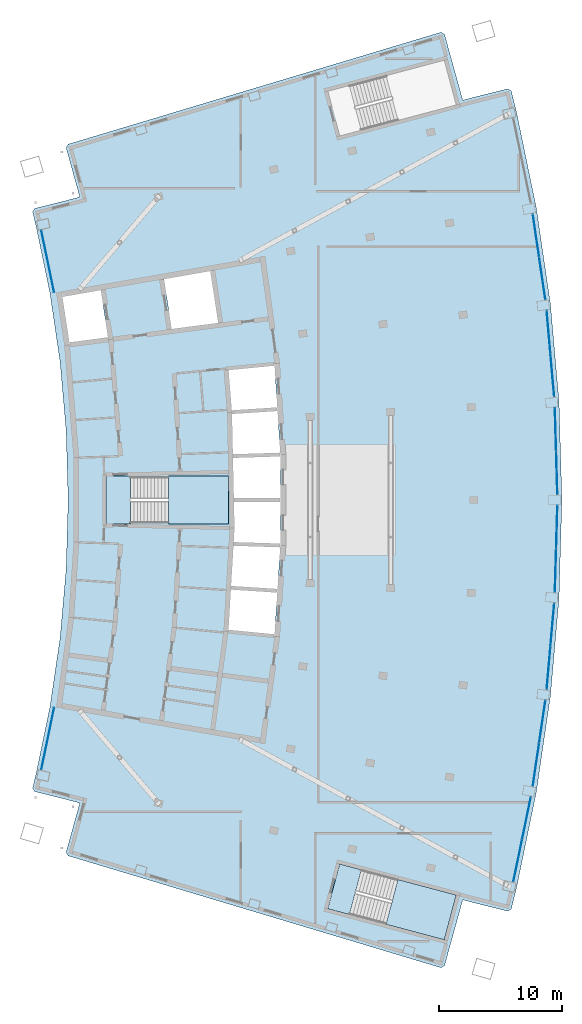
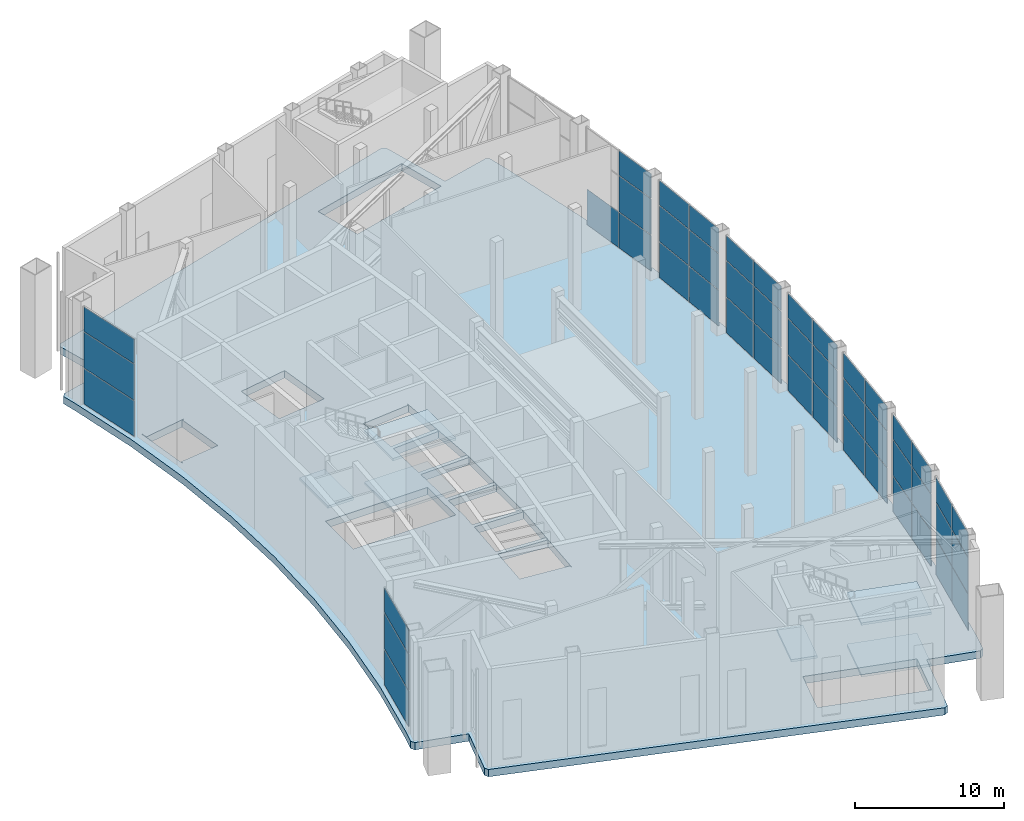
# One storey, part 16 of 25: 46 plates, 7 slabs, 11 elements without a shape of their own.
"""IFC4 building model written with IfcOpenShell, lengths in metres."""

from ifc_helpers import new_model, si_unit, direction, frame, origin, origin_2d, place, context, subcontext, project, spatial, polyline, rectangle, outline, extrude, material, layer, layer_set, type_object, element, aggregate, save


model = new_model("IFC4")

# Units and contexts
model_context = context("Model", 3, precision=1e-05, world=origin(), true_north=direction((0.0, 1.0)))
body_context = subcontext(model_context, "Body", "Model", "MODEL_VIEW")
ifc_project = project(units=[si_unit("LENGTHUNIT", "METRE"), si_unit("AREAUNIT", "SQUARE_METRE"), si_unit("VOLUMEUNIT", "CUBIC_METRE"), si_unit("PLANEANGLEUNIT", "RADIAN"), si_unit("MASSUNIT", "GRAM", prefix="KILO")], contexts=[model_context])

# Site, building, storey
site_placement = place(None, origin())
site = spatial("IfcSite", under=ifc_project, at=site_placement, CompositionType="ELEMENT")
building_placement = place(site_placement, origin())
building = spatial("IfcBuilding", under=site, at=building_placement, Name="Alderwake Tower", CompositionType="ELEMENT")
storey_placement = place(building_placement, frame((0.0, 0.0, 296.0)))
storey = spatial("IfcBuildingStorey", under=building, at=storey_placement, Name="L73", CompositionType="ELEMENT", Elevation=296.0)

# Slab
ifc_material_1 = material(Name="Concrete C50/60", Category="concrete")
ifc_layer_1 = layer(ifc_material_1, 0.60009765625)
ifc_layer_set_1 = layer_set([ifc_layer_1], Name="Concrete C50/60 post-tensioned flat plate 600")
slab_type_1 = type_object("IfcSlabType", Name="Concrete C50/60 post-tensioned flat plate 600", PredefinedType="FLOOR", material=ifc_layer_set_1)
slab_1_placement = place(storey_placement, frame((0.0, 0.0, -0.60009765625)))
element("IfcSlab", 1, at=slab_1_placement, inside=storey, type_object=slab_type_1, Name="Floor slab L73", PredefinedType="FLOOR", context=body_context, shape_type="SweptSolid", body=[
    extrude(outline(polyline([(16.942626953125, 36.46142578125), (13.287841796875, 37.38671875), (13.11962890625, 37.66650390625), (13.3984375, 38.802734375), (14.53369140625, 44.28564453125), (15.347412109375, 49.825439453125), (15.836669921875, 55.4033203125), (16.0, 61.0), (15.836669921875, 66.5966796875), (15.347412109375, 72.174560546875), (14.53369140625, 77.71435546875), (13.3984375, 83.197265625), (13.11962890625, 84.33349609375), (13.287841796875, 84.61328125), (16.942626953125, 85.53857421875), (15.837890625, 89.533203125), (15.996826171875, 89.821044921875), (46.204833984375, 98.890380859375), (46.486328125, 98.73486328125), (47.964111328125, 93.390869140625), (51.618896484375, 94.31591796875), (51.896728515625, 94.14892578125), (52.314453125, 92.4462890625), (53.9228515625, 84.6787109375), (55.075439453125, 76.830810546875), (55.768798828125, 68.9287109375), (56.0, 61.0), (55.768798828125, 53.0712890625), (55.075439453125, 45.169189453125), (53.9228515625, 37.3212890625), (52.314453125, 29.5537109375), (51.896728515625, 27.85107421875), (51.618896484375, 27.68408203125), (47.964111328125, 28.609130859375), (46.486328125, 23.26513671875), (46.204833984375, 23.109619140625), (15.996826171875, 32.178955078125), (15.837890625, 32.466796875), (16.942626953125, 36.46142578125)]), holes=[polyline([(29.181396484375, 53.739990234375), (28.985107421875, 50.4306640625), (28.989013671875, 50.430419921875), (28.994140625, 50.485595703125), (32.6962890625, 50.123291015625), (32.681640625, 49.973876953125), (32.711669921875, 49.970947265625), (32.95068359375, 53.644775390625), (33.18994140625, 57.318603515625), (33.18994140625, 61.0), (33.18994140625, 64.681396484375), (32.95068359375, 68.355224609375), (32.711669921875, 72.029052734375), (32.681640625, 72.026123046875), (32.6962890625, 71.876708984375), (28.993896484375, 71.514404296875), (29.256591796875, 68.264892578125), (32.9111328125, 68.5029296875), (32.9208984375, 68.353271484375), (32.9306640625, 68.20361328125), (29.278564453125, 67.9658203125), (29.274169921875, 68.032470703125), (29.2705078125, 68.0322265625), (29.34423828125, 64.70654296875), (33.1552734375, 64.83056640625), (33.159912109375, 64.680419921875), (33.164794921875, 64.530517578125), (29.350830078125, 64.406494140625), (29.4228515625, 61.14990234375), (33.159912109375, 61.14990234375), (33.159912109375, 61.0), (33.159912109375, 60.85009765625), (29.429443359375, 60.85009765625), (29.4765625, 58.72314453125), (29.409423828125, 57.591552734375), (33.164794921875, 57.469482421875), (33.159912109375, 57.319580078125), (33.1552734375, 57.16943359375), (29.395751953125, 57.291748046875), (29.39599609375, 57.3017578125), (29.392333984375, 57.302001953125), (29.198974609375, 54.039306640625), (32.9306640625, 53.79638671875), (32.9208984375, 53.646728515625), (32.9111328125, 53.4970703125), (29.181396484375, 53.739990234375)]), polyline([(29.0, 62.875), (21.050048828125, 62.875), (21.050048828125, 59.125), (29.0, 59.125), (29.0, 62.875)]), polyline([(15.569091796875, 77.45703125), (15.49462890625, 77.88427734375), (15.4130859375, 77.869873046875), (15.413818359375, 77.8662109375), (15.47021484375, 77.874755859375), (16.13134765625, 73.5732421875), (16.1611328125, 73.5771484375), (16.13525390625, 73.775390625), (19.224609375, 74.1796875), (18.647705078125, 77.98974609375), (18.843994140625, 78.01953125), (18.84228515625, 78.028564453125), (15.569091796875, 77.45703125)]), polyline([(28.152587890625, 75.347412109375), (27.512451171875, 79.542236328125), (23.769287109375, 78.888916015625), (24.384033203125, 74.858642578125), (24.3623046875, 74.85546875), (24.36279296875, 74.8515625), (28.152587890625, 75.347412109375)]), polyline([(46.47119140625, 25.373291015625), (47.436279296875, 28.996826171875), (39.754150390625, 31.043212890625), (38.7890625, 27.41943359375), (46.47119140625, 25.373291015625)]), polyline([(47.436279296875, 93.003173828125), (46.47119140625, 96.626708984375), (38.7890625, 94.58056640625), (39.754150390625, 90.956787109375), (47.436279296875, 93.003173828125)])]), origin(), (0.0, 0.0, 1.0), 0.60009765625),
])

# Stair, slabs
ifc_material_2 = material(Name="Concrete C40/50", Category="concrete")
stair_type = type_object("IfcStairType", Name="Core exit stair", PredefinedType="HALF_TURN_STAIR", material=ifc_material_2)
stair_1_placement = place(storey_placement, origin())
stair_1 = element("IfcStair", 2, at=stair_1_placement, inside=storey, type_object=stair_type, Name="L73 Exit Stair B", PredefinedType="HALF_TURN_STAIR")
ifc_material_3 = material(Name="Concrete C40/50", Category="concrete")
ifc_layer_2 = layer(ifc_material_3, 0.199951171875)
ifc_layer_set_2 = layer_set([ifc_layer_2], Name="Core stair landing 200")
slab_type_2 = type_object("IfcSlabType", Name="Core stair landing 200", PredefinedType="LANDING", material=ifc_layer_set_2)
slab_2_placement = place(storey_placement, frame((0.0, 0.0, 1.925048828125)))
slab_2 = element("IfcSlab", 3, at=slab_2_placement, type_object=slab_type_2, Name="ST-B landing 1", PredefinedType="LANDING", context=body_context, shape_type="SweptSolid", body=[
    extrude(outline(polyline([(24.110107421875, 59.074951171875), (29.0, 59.074951171875), (29.0, 62.925048828125), (24.110107421875, 62.925048828125), (24.110107421875, 59.074951171875)])), origin(), (0.0, 0.0, 1.0), 0.199951171875),
])
slab_3_placement = place(storey_placement, frame((0.0, 0.0, 4.050048828125)))
slab_3 = element("IfcSlab", 4, at=slab_3_placement, type_object=slab_type_2, Name="ST-B landing 2", PredefinedType="LANDING", context=body_context, shape_type="SweptSolid", body=[
    extrude(outline(polyline([(19.0537109375, 59.074951171875), (21.050048828125, 59.074951171875), (21.050048828125, 62.925048828125), (19.0537109375, 62.925048828125), (19.0537109375, 59.074951171875)])), origin(), (0.0, 0.0, 1.0), 0.199951171875),
])
slab_4_placement = place(storey_placement, frame((0.0, 0.0, 6.175048828125)))
slab_4 = element("IfcSlab", 5, at=slab_4_placement, type_object=slab_type_2, Name="ST-B landing 3", PredefinedType="LANDING", context=body_context, shape_type="SweptSolid", body=[
    extrude(outline(polyline([(24.110107421875, 59.074951171875), (29.0, 59.074951171875), (29.0, 62.925048828125), (24.110107421875, 62.925048828125), (24.110107421875, 59.074951171875)])), origin(), (0.0, 0.0, 1.0), 0.199951171875),
])
aggregate(stair_1, [slab_2, slab_3, slab_4])

stair_2_placement = place(storey_placement, origin())
stair_2 = element("IfcStair", 6, at=stair_2_placement, inside=storey, type_object=stair_type, Name="L73 Exit Stair C", PredefinedType="HALF_TURN_STAIR")
slab_5_placement = place(storey_placement, frame((0.0, 0.0, 1.925048828125)))
slab_5 = element("IfcSlab", 7, at=slab_5_placement, type_object=slab_type_2, Name="ST-C landing 1", PredefinedType="LANDING", context=body_context, shape_type="SweptSolid", body=[
    extrude(outline(polyline([(41.745849609375, 26.6318359375), (46.47119140625, 25.373291015625), (47.436279296875, 28.996826171875), (42.711181640625, 30.255615234375), (41.745849609375, 26.6318359375)])), origin(), (0.0, 0.0, 1.0), 0.199951171875),
])
slab_6_placement = place(storey_placement, frame((0.0, 0.0, 4.050048828125)))
slab_6 = element("IfcSlab", 8, at=slab_6_placement, type_object=slab_type_2, Name="ST-C landing 2", PredefinedType="LANDING", context=body_context, shape_type="SweptSolid", body=[
    extrude(outline(polyline([(37.025390625, 27.88916015625), (38.7890625, 27.41943359375), (39.754150390625, 31.043212890625), (37.99072265625, 31.512939453125), (37.025390625, 27.88916015625)])), origin(), (0.0, 0.0, 1.0), 0.199951171875),
])
slab_7_placement = place(storey_placement, frame((0.0, 0.0, 6.175048828125)))
slab_7 = element("IfcSlab", 9, at=slab_7_placement, type_object=slab_type_2, Name="ST-C landing 3", PredefinedType="LANDING", context=body_context, shape_type="SweptSolid", body=[
    extrude(outline(polyline([(41.745849609375, 26.6318359375), (46.47119140625, 25.373291015625), (47.436279296875, 28.996826171875), (42.711181640625, 30.255615234375), (41.745849609375, 26.6318359375)])), origin(), (0.0, 0.0, 1.0), 0.199951171875),
])
aggregate(stair_2, [slab_5, slab_6, slab_7])

# Curtain wall, plates
ifc_material_4 = material(Name="Bronze tinted glass in aluminium frame", Category="aluminium")
ifc_layer_3 = layer(ifc_material_4, 0.199951171875)
ifc_layer_set_3 = layer_set([ifc_layer_3], Name="Curtain wall CW4 damper floor viewing glazing")
curtain_wall_type = type_object("IfcCurtainWallType", Name="Curtain wall CW4 damper floor viewing glazing", PredefinedType="NOTDEFINED", material=ifc_layer_set_3)
curtain_wall_1_placement = place(storey_placement, origin())
curtain_wall_1 = element("IfcCurtainWall", 10, at=curtain_wall_1_placement, inside=storey, type_object=curtain_wall_type, Name="Curtain wall 1", PredefinedType="NOTDEFINED")
ifc_material_5 = material(Name="Bronze tinted glass in aluminium frame", Category="aluminium")
ifc_layer_4 = layer(ifc_material_5, 0.028076171875)
ifc_layer_set_4 = layer_set([ifc_layer_4], Name="Glass panel GPD 28")
plate_type = type_object("IfcPlateType", Name="Glass panel GPD 28", PredefinedType="CURTAIN_PANEL", material=ifc_layer_set_4)
plate_1_placement = place(storey_placement, frame((52.4208984375, 31.792724609375, 0.06005859375), z_axis=(0.0, 0.0, 1.0), x_axis=(0.202760916683, 0.979228273012, 0.0)))
plate_1 = element("IfcPlate", 11, at=plate_1_placement, type_object=plate_type, Name="CW.01 panel 1.1", PredefinedType="CURTAIN_PANEL", context=body_context, shape_type="SweptSolid", body=[
    extrude(rectangle(XDim=3.444091796875, YDim=0.028076171875, at=origin_2d()), origin(), (0.0, 0.0, 1.0), 2.909912109375),
])
plate_2_placement = place(storey_placement, frame((52.4208984375, 31.792724609375, 3.030029296875), z_axis=(0.0, 0.0, 1.0), x_axis=(0.202760916683, 0.979228273012, 0.0)))
plate_2 = element("IfcPlate", 12, at=plate_2_placement, type_object=plate_type, Name="CW.01 panel 1.2", PredefinedType="CURTAIN_PANEL", context=body_context, shape_type="SweptSolid", body=[
    extrude(rectangle(XDim=3.444091796875, YDim=0.028076171875, at=origin_2d()), origin(), (0.0, 0.0, 1.0), 2.93994140625),
])
plate_3_placement = place(storey_placement, frame((52.4208984375, 31.792724609375, 6.02978515625), z_axis=(0.0, 0.0, 1.0), x_axis=(0.202760916683, 0.979228273012, 0.0)))
plate_3 = element("IfcPlate", 13, at=plate_3_placement, type_object=plate_type, Name="CW.01 panel 1.3", PredefinedType="CURTAIN_PANEL", context=body_context, shape_type="SweptSolid", body=[
    extrude(rectangle(XDim=3.444091796875, YDim=0.028076171875, at=origin_2d()), origin(), (0.0, 0.0, 1.0), 2.010009765625),
])
plate_4_placement = place(storey_placement, frame((53.13134765625, 35.22412109375, 0.06005859375), z_axis=(0.0, 0.0, 1.0), x_axis=(0.202760916683, 0.979228273012, 0.0)))
plate_4 = element("IfcPlate", 14, at=plate_4_placement, type_object=plate_type, Name="CW.01 panel 2.1", PredefinedType="CURTAIN_PANEL", context=body_context, shape_type="SweptSolid", body=[
    extrude(rectangle(XDim=3.444091796875, YDim=0.028076171875, at=origin_2d()), origin(), (0.0, 0.0, 1.0), 2.909912109375),
])
plate_5_placement = place(storey_placement, frame((53.13134765625, 35.22412109375, 3.030029296875), z_axis=(0.0, 0.0, 1.0), x_axis=(0.202760916683, 0.979228273012, 0.0)))
plate_5 = element("IfcPlate", 15, at=plate_5_placement, type_object=plate_type, Name="CW.01 panel 2.2", PredefinedType="CURTAIN_PANEL", context=body_context, shape_type="SweptSolid", body=[
    extrude(rectangle(XDim=3.444091796875, YDim=0.028076171875, at=origin_2d()), origin(), (0.0, 0.0, 1.0), 2.93994140625),
])
plate_6_placement = place(storey_placement, frame((53.13134765625, 35.22412109375, 6.02978515625), z_axis=(0.0, 0.0, 1.0), x_axis=(0.202760916683, 0.979228273012, 0.0)))
plate_6 = element("IfcPlate", 16, at=plate_6_placement, type_object=plate_type, Name="CW.01 panel 2.3", PredefinedType="CURTAIN_PANEL", context=body_context, shape_type="SweptSolid", body=[
    extrude(rectangle(XDim=3.444091796875, YDim=0.028076171875, at=origin_2d()), origin(), (0.0, 0.0, 1.0), 2.010009765625),
])
aggregate(curtain_wall_1, [plate_1, plate_2, plate_3, plate_4, plate_5, plate_6])

curtain_wall_2_placement = place(storey_placement, origin())
curtain_wall_2 = element("IfcCurtainWall", 17, at=curtain_wall_2_placement, inside=storey, type_object=curtain_wall_type, Name="Curtain wall 2", PredefinedType="NOTDEFINED")
plate_7_placement = place(storey_placement, frame((53.8984375, 39.562744140625, 0.06005859375), z_axis=(0.0, 0.0, 1.0), x_axis=(0.145310296412, 0.989386131779, 0.0)))
plate_7 = element("IfcPlate", 18, at=plate_7_placement, type_object=plate_type, Name="CW.02 panel 1.1", PredefinedType="CURTAIN_PANEL", context=body_context, shape_type="SweptSolid", body=[
    extrude(rectangle(XDim=3.444091796875, YDim=0.028076171875, at=origin_2d()), origin(), (0.0, 0.0, 1.0), 2.909912109375),
])
plate_8_placement = place(storey_placement, frame((53.8984375, 39.562744140625, 3.030029296875), z_axis=(0.0, 0.0, 1.0), x_axis=(0.145310296412, 0.989386131779, 0.0)))
plate_8 = element("IfcPlate", 19, at=plate_8_placement, type_object=plate_type, Name="CW.02 panel 1.2", PredefinedType="CURTAIN_PANEL", context=body_context, shape_type="SweptSolid", body=[
    extrude(rectangle(XDim=3.444091796875, YDim=0.028076171875, at=origin_2d()), origin(), (0.0, 0.0, 1.0), 2.93994140625),
])
plate_9_placement = place(storey_placement, frame((53.8984375, 39.562744140625, 6.02978515625), z_axis=(0.0, 0.0, 1.0), x_axis=(0.145310296412, 0.989386131779, 0.0)))
plate_9 = element("IfcPlate", 20, at=plate_9_placement, type_object=plate_type, Name="CW.02 panel 1.3", PredefinedType="CURTAIN_PANEL", context=body_context, shape_type="SweptSolid", body=[
    extrude(rectangle(XDim=3.444091796875, YDim=0.028076171875, at=origin_2d()), origin(), (0.0, 0.0, 1.0), 2.010009765625),
])
plate_10_placement = place(storey_placement, frame((54.407470703125, 43.029541015625, 0.06005859375), z_axis=(0.0, 0.0, 1.0), x_axis=(0.145310296412, 0.989386131779, 0.0)))
plate_10 = element("IfcPlate", 21, at=plate_10_placement, type_object=plate_type, Name="CW.02 panel 2.1", PredefinedType="CURTAIN_PANEL", context=body_context, shape_type="SweptSolid", body=[
    extrude(rectangle(XDim=3.444091796875, YDim=0.028076171875, at=origin_2d()), origin(), (0.0, 0.0, 1.0), 2.909912109375),
])
plate_11_placement = place(storey_placement, frame((54.407470703125, 43.029541015625, 3.030029296875), z_axis=(0.0, 0.0, 1.0), x_axis=(0.145310296412, 0.989386131779, 0.0)))
plate_11 = element("IfcPlate", 22, at=plate_11_placement, type_object=plate_type, Name="CW.02 panel 2.2", PredefinedType="CURTAIN_PANEL", context=body_context, shape_type="SweptSolid", body=[
    extrude(rectangle(XDim=3.444091796875, YDim=0.028076171875, at=origin_2d()), origin(), (0.0, 0.0, 1.0), 2.93994140625),
])
plate_12_placement = place(storey_placement, frame((54.407470703125, 43.029541015625, 6.02978515625), z_axis=(0.0, 0.0, 1.0), x_axis=(0.145310296412, 0.989386131779, 0.0)))
plate_12 = element("IfcPlate", 23, at=plate_12_placement, type_object=plate_type, Name="CW.02 panel 2.3", PredefinedType="CURTAIN_PANEL", context=body_context, shape_type="SweptSolid", body=[
    extrude(rectangle(XDim=3.444091796875, YDim=0.028076171875, at=origin_2d()), origin(), (0.0, 0.0, 1.0), 2.010009765625),
])
aggregate(curtain_wall_2, [plate_7, plate_8, plate_9, plate_10, plate_11, plate_12])

curtain_wall_3_placement = place(storey_placement, origin())
curtain_wall_3 = element("IfcCurtainWall", 24, at=curtain_wall_3_placement, inside=storey, type_object=curtain_wall_type, Name="Curtain wall 3", PredefinedType="NOTDEFINED")
plate_13_placement = place(storey_placement, frame((54.92041015625, 47.4052734375, 0.06005859375), z_axis=(0.0, 0.0, 1.0), x_axis=(0.087389659115, 0.996174205388, 0.0)))
plate_13 = element("IfcPlate", 25, at=plate_13_placement, type_object=plate_type, Name="CW.03 panel 1.1", PredefinedType="CURTAIN_PANEL", context=body_context, shape_type="SweptSolid", body=[
    extrude(rectangle(XDim=3.444091796875, YDim=0.028076171875, at=origin_2d()), origin(), (0.0, 0.0, 1.0), 2.909912109375),
])
plate_14_placement = place(storey_placement, frame((54.92041015625, 47.4052734375, 3.030029296875), z_axis=(0.0, 0.0, 1.0), x_axis=(0.087389659115, 0.996174205388, 0.0)))
plate_14 = element("IfcPlate", 26, at=plate_14_placement, type_object=plate_type, Name="CW.03 panel 1.2", PredefinedType="CURTAIN_PANEL", context=body_context, shape_type="SweptSolid", body=[
    extrude(rectangle(XDim=3.444091796875, YDim=0.028076171875, at=origin_2d()), origin(), (0.0, 0.0, 1.0), 2.93994140625),
])
plate_15_placement = place(storey_placement, frame((54.92041015625, 47.4052734375, 6.02978515625), z_axis=(0.0, 0.0, 1.0), x_axis=(0.087389659115, 0.996174205388, 0.0)))
plate_15 = element("IfcPlate", 27, at=plate_15_placement, type_object=plate_type, Name="CW.03 panel 1.3", PredefinedType="CURTAIN_PANEL", context=body_context, shape_type="SweptSolid", body=[
    extrude(rectangle(XDim=3.444091796875, YDim=0.028076171875, at=origin_2d()), origin(), (0.0, 0.0, 1.0), 2.010009765625),
])
plate_16_placement = place(storey_placement, frame((55.2265625, 50.896240234375, 0.06005859375), z_axis=(0.0, 0.0, 1.0), x_axis=(0.087389659115, 0.996174205388, 0.0)))
plate_16 = element("IfcPlate", 28, at=plate_16_placement, type_object=plate_type, Name="CW.03 panel 2.1", PredefinedType="CURTAIN_PANEL", context=body_context, shape_type="SweptSolid", body=[
    extrude(rectangle(XDim=3.444091796875, YDim=0.028076171875, at=origin_2d()), origin(), (0.0, 0.0, 1.0), 2.909912109375),
])
plate_17_placement = place(storey_placement, frame((55.2265625, 50.896240234375, 3.030029296875), z_axis=(0.0, 0.0, 1.0), x_axis=(0.087389659115, 0.996174205388, 0.0)))
plate_17 = element("IfcPlate", 29, at=plate_17_placement, type_object=plate_type, Name="CW.03 panel 2.2", PredefinedType="CURTAIN_PANEL", context=body_context, shape_type="SweptSolid", body=[
    extrude(rectangle(XDim=3.444091796875, YDim=0.028076171875, at=origin_2d()), origin(), (0.0, 0.0, 1.0), 2.93994140625),
])
plate_18_placement = place(storey_placement, frame((55.2265625, 50.896240234375, 6.02978515625), z_axis=(0.0, 0.0, 1.0), x_axis=(0.087389659115, 0.996174205388, 0.0)))
plate_18 = element("IfcPlate", 30, at=plate_18_placement, type_object=plate_type, Name="CW.03 panel 2.3", PredefinedType="CURTAIN_PANEL", context=body_context, shape_type="SweptSolid", body=[
    extrude(rectangle(XDim=3.444091796875, YDim=0.028076171875, at=origin_2d()), origin(), (0.0, 0.0, 1.0), 2.010009765625),
])
aggregate(curtain_wall_3, [plate_13, plate_14, plate_15, plate_16, plate_17, plate_18])

curtain_wall_4_placement = place(storey_placement, origin())
curtain_wall_4 = element("IfcCurtainWall", 31, at=curtain_wall_4_placement, inside=storey, type_object=curtain_wall_type, Name="Curtain wall 4", PredefinedType="NOTDEFINED")
plate_19_placement = place(storey_placement, frame((55.483642578125, 55.29443359375, 0.06005859375), z_axis=(0.0, 0.0, 1.0), x_axis=(0.029157507941, 0.99957482948, 0.0)))
plate_19 = element("IfcPlate", 32, at=plate_19_placement, type_object=plate_type, Name="CW.04 panel 1.1", PredefinedType="CURTAIN_PANEL", context=body_context, shape_type="SweptSolid", body=[
    extrude(rectangle(XDim=3.4443359375, YDim=0.028076171875, at=origin_2d()), origin(), (0.0, 0.0, 1.0), 2.909912109375),
])
plate_20_placement = place(storey_placement, frame((55.483642578125, 55.29443359375, 3.030029296875), z_axis=(0.0, 0.0, 1.0), x_axis=(0.029157507941, 0.99957482948, 0.0)))
plate_20 = element("IfcPlate", 33, at=plate_20_placement, type_object=plate_type, Name="CW.04 panel 1.2", PredefinedType="CURTAIN_PANEL", context=body_context, shape_type="SweptSolid", body=[
    extrude(rectangle(XDim=3.4443359375, YDim=0.028076171875, at=origin_2d()), origin(), (0.0, 0.0, 1.0), 2.93994140625),
])
plate_21_placement = place(storey_placement, frame((55.483642578125, 55.29443359375, 6.02978515625), z_axis=(0.0, 0.0, 1.0), x_axis=(0.029157507941, 0.99957482948, 0.0)))
plate_21 = element("IfcPlate", 34, at=plate_21_placement, type_object=plate_type, Name="CW.04 panel 1.3", PredefinedType="CURTAIN_PANEL", context=body_context, shape_type="SweptSolid", body=[
    extrude(rectangle(XDim=3.4443359375, YDim=0.028076171875, at=origin_2d()), origin(), (0.0, 0.0, 1.0), 2.010009765625),
])
plate_22_placement = place(storey_placement, frame((55.585693359375, 58.797119140625, 0.06005859375), z_axis=(0.0, 0.0, 1.0), x_axis=(0.029157507941, 0.99957482948, 0.0)))
plate_22 = element("IfcPlate", 35, at=plate_22_placement, type_object=plate_type, Name="CW.04 panel 2.1", PredefinedType="CURTAIN_PANEL", context=body_context, shape_type="SweptSolid", body=[
    extrude(rectangle(XDim=3.4443359375, YDim=0.028076171875, at=origin_2d()), origin(), (0.0, 0.0, 1.0), 2.909912109375),
])
plate_23_placement = place(storey_placement, frame((55.585693359375, 58.797119140625, 3.030029296875), z_axis=(0.0, 0.0, 1.0), x_axis=(0.029157507941, 0.99957482948, 0.0)))
plate_23 = element("IfcPlate", 36, at=plate_23_placement, type_object=plate_type, Name="CW.04 panel 2.2", PredefinedType="CURTAIN_PANEL", context=body_context, shape_type="SweptSolid", body=[
    extrude(rectangle(XDim=3.4443359375, YDim=0.028076171875, at=origin_2d()), origin(), (0.0, 0.0, 1.0), 2.93994140625),
])
plate_24_placement = place(storey_placement, frame((55.585693359375, 58.797119140625, 6.02978515625), z_axis=(0.0, 0.0, 1.0), x_axis=(0.029157507941, 0.99957482948, 0.0)))
plate_24 = element("IfcPlate", 37, at=plate_24_placement, type_object=plate_type, Name="CW.04 panel 2.3", PredefinedType="CURTAIN_PANEL", context=body_context, shape_type="SweptSolid", body=[
    extrude(rectangle(XDim=3.4443359375, YDim=0.028076171875, at=origin_2d()), origin(), (0.0, 0.0, 1.0), 2.010009765625),
])
aggregate(curtain_wall_4, [plate_19, plate_20, plate_21, plate_22, plate_23, plate_24])

curtain_wall_5_placement = place(storey_placement, origin())
curtain_wall_5 = element("IfcCurtainWall", 38, at=curtain_wall_5_placement, inside=storey, type_object=curtain_wall_type, Name="Curtain wall 5", PredefinedType="NOTDEFINED")
plate_25_placement = place(storey_placement, frame((55.585693359375, 63.202880859375, 0.06005859375), z_axis=(0.0, 0.0, 1.0), x_axis=(-0.029157507941, 0.99957482948, 0.0)))
plate_25 = element("IfcPlate", 39, at=plate_25_placement, type_object=plate_type, Name="CW.05 panel 1.1", PredefinedType="CURTAIN_PANEL", context=body_context, shape_type="SweptSolid", body=[
    extrude(rectangle(XDim=3.4443359375, YDim=0.028076171875, at=origin_2d()), origin(), (0.0, 0.0, 1.0), 2.909912109375),
])
plate_26_placement = place(storey_placement, frame((55.585693359375, 63.202880859375, 3.030029296875), z_axis=(0.0, 0.0, 1.0), x_axis=(-0.029157507941, 0.99957482948, 0.0)))
plate_26 = element("IfcPlate", 40, at=plate_26_placement, type_object=plate_type, Name="CW.05 panel 1.2", PredefinedType="CURTAIN_PANEL", context=body_context, shape_type="SweptSolid", body=[
    extrude(rectangle(XDim=3.4443359375, YDim=0.028076171875, at=origin_2d()), origin(), (0.0, 0.0, 1.0), 2.93994140625),
])
plate_27_placement = place(storey_placement, frame((55.585693359375, 63.202880859375, 6.02978515625), z_axis=(0.0, 0.0, 1.0), x_axis=(-0.029157507941, 0.99957482948, 0.0)))
plate_27 = element("IfcPlate", 41, at=plate_27_placement, type_object=plate_type, Name="CW.05 panel 1.3", PredefinedType="CURTAIN_PANEL", context=body_context, shape_type="SweptSolid", body=[
    extrude(rectangle(XDim=3.4443359375, YDim=0.028076171875, at=origin_2d()), origin(), (0.0, 0.0, 1.0), 2.010009765625),
])
plate_28_placement = place(storey_placement, frame((55.483642578125, 66.70556640625, 0.06005859375), z_axis=(0.0, 0.0, 1.0), x_axis=(-0.029157507941, 0.99957482948, 0.0)))
plate_28 = element("IfcPlate", 42, at=plate_28_placement, type_object=plate_type, Name="CW.05 panel 2.1", PredefinedType="CURTAIN_PANEL", context=body_context, shape_type="SweptSolid", body=[
    extrude(rectangle(XDim=3.4443359375, YDim=0.028076171875, at=origin_2d()), origin(), (0.0, 0.0, 1.0), 2.909912109375),
])
plate_29_placement = place(storey_placement, frame((55.483642578125, 66.70556640625, 3.030029296875), z_axis=(0.0, 0.0, 1.0), x_axis=(-0.029157507941, 0.99957482948, 0.0)))
plate_29 = element("IfcPlate", 43, at=plate_29_placement, type_object=plate_type, Name="CW.05 panel 2.2", PredefinedType="CURTAIN_PANEL", context=body_context, shape_type="SweptSolid", body=[
    extrude(rectangle(XDim=3.4443359375, YDim=0.028076171875, at=origin_2d()), origin(), (0.0, 0.0, 1.0), 2.93994140625),
])
plate_30_placement = place(storey_placement, frame((55.483642578125, 66.70556640625, 6.02978515625), z_axis=(0.0, 0.0, 1.0), x_axis=(-0.029157507941, 0.99957482948, 0.0)))
plate_30 = element("IfcPlate", 44, at=plate_30_placement, type_object=plate_type, Name="CW.05 panel 2.3", PredefinedType="CURTAIN_PANEL", context=body_context, shape_type="SweptSolid", body=[
    extrude(rectangle(XDim=3.4443359375, YDim=0.028076171875, at=origin_2d()), origin(), (0.0, 0.0, 1.0), 2.010009765625),
])
aggregate(curtain_wall_5, [plate_25, plate_26, plate_27, plate_28, plate_29, plate_30])

curtain_wall_6_placement = place(storey_placement, origin())
curtain_wall_6 = element("IfcCurtainWall", 45, at=curtain_wall_6_placement, inside=storey, type_object=curtain_wall_type, Name="Curtain wall 6", PredefinedType="NOTDEFINED")
plate_31_placement = place(storey_placement, frame((55.2265625, 71.103759765625, 0.06005859375), z_axis=(0.0, 0.0, 1.0), x_axis=(-0.087389659115, 0.996174205388, 0.0)))
plate_31 = element("IfcPlate", 46, at=plate_31_placement, type_object=plate_type, Name="CW.06 panel 1.1", PredefinedType="CURTAIN_PANEL", context=body_context, shape_type="SweptSolid", body=[
    extrude(rectangle(XDim=3.444091796875, YDim=0.028076171875, at=origin_2d()), origin(), (0.0, 0.0, 1.0), 2.909912109375),
])
plate_32_placement = place(storey_placement, frame((55.2265625, 71.103759765625, 3.030029296875), z_axis=(0.0, 0.0, 1.0), x_axis=(-0.087389659115, 0.996174205388, 0.0)))
plate_32 = element("IfcPlate", 47, at=plate_32_placement, type_object=plate_type, Name="CW.06 panel 1.2", PredefinedType="CURTAIN_PANEL", context=body_context, shape_type="SweptSolid", body=[
    extrude(rectangle(XDim=3.444091796875, YDim=0.028076171875, at=origin_2d()), origin(), (0.0, 0.0, 1.0), 2.93994140625),
])
plate_33_placement = place(storey_placement, frame((55.2265625, 71.103759765625, 6.02978515625), z_axis=(0.0, 0.0, 1.0), x_axis=(-0.087389659115, 0.996174205388, 0.0)))
plate_33 = element("IfcPlate", 48, at=plate_33_placement, type_object=plate_type, Name="CW.06 panel 1.3", PredefinedType="CURTAIN_PANEL", context=body_context, shape_type="SweptSolid", body=[
    extrude(rectangle(XDim=3.444091796875, YDim=0.028076171875, at=origin_2d()), origin(), (0.0, 0.0, 1.0), 2.010009765625),
])
plate_34_placement = place(storey_placement, frame((54.92041015625, 74.5947265625, 0.06005859375), z_axis=(0.0, 0.0, 1.0), x_axis=(-0.087389659115, 0.996174205388, 0.0)))
plate_34 = element("IfcPlate", 49, at=plate_34_placement, type_object=plate_type, Name="CW.06 panel 2.1", PredefinedType="CURTAIN_PANEL", context=body_context, shape_type="SweptSolid", body=[
    extrude(rectangle(XDim=3.444091796875, YDim=0.028076171875, at=origin_2d()), origin(), (0.0, 0.0, 1.0), 2.909912109375),
])
plate_35_placement = place(storey_placement, frame((54.92041015625, 74.5947265625, 3.030029296875), z_axis=(0.0, 0.0, 1.0), x_axis=(-0.087389659115, 0.996174205388, 0.0)))
plate_35 = element("IfcPlate", 50, at=plate_35_placement, type_object=plate_type, Name="CW.06 panel 2.2", PredefinedType="CURTAIN_PANEL", context=body_context, shape_type="SweptSolid", body=[
    extrude(rectangle(XDim=3.444091796875, YDim=0.028076171875, at=origin_2d()), origin(), (0.0, 0.0, 1.0), 2.93994140625),
])
plate_36_placement = place(storey_placement, frame((54.92041015625, 74.5947265625, 6.02978515625), z_axis=(0.0, 0.0, 1.0), x_axis=(-0.087389659115, 0.996174205388, 0.0)))
plate_36 = element("IfcPlate", 51, at=plate_36_placement, type_object=plate_type, Name="CW.06 panel 2.3", PredefinedType="CURTAIN_PANEL", context=body_context, shape_type="SweptSolid", body=[
    extrude(rectangle(XDim=3.444091796875, YDim=0.028076171875, at=origin_2d()), origin(), (0.0, 0.0, 1.0), 2.010009765625),
])
aggregate(curtain_wall_6, [plate_31, plate_32, plate_33, plate_34, plate_35, plate_36])

curtain_wall_7_placement = place(storey_placement, origin())
curtain_wall_7 = element("IfcCurtainWall", 52, at=curtain_wall_7_placement, inside=storey, type_object=curtain_wall_type, Name="Curtain wall 7", PredefinedType="NOTDEFINED")
plate_37_placement = place(storey_placement, frame((54.407470703125, 78.970458984375, 0.06005859375), z_axis=(0.0, 0.0, 1.0), x_axis=(-0.145310296412, 0.989386131779, 0.0)))
plate_37 = element("IfcPlate", 53, at=plate_37_placement, type_object=plate_type, Name="CW.07 panel 1.1", PredefinedType="CURTAIN_PANEL", context=body_context, shape_type="SweptSolid", body=[
    extrude(rectangle(XDim=3.444091796875, YDim=0.028076171875, at=origin_2d()), origin(), (0.0, 0.0, 1.0), 2.909912109375),
])
plate_38_placement = place(storey_placement, frame((54.407470703125, 78.970458984375, 3.030029296875), z_axis=(0.0, 0.0, 1.0), x_axis=(-0.145310296412, 0.989386131779, 0.0)))
plate_38 = element("IfcPlate", 54, at=plate_38_placement, type_object=plate_type, Name="CW.07 panel 1.2", PredefinedType="CURTAIN_PANEL", context=body_context, shape_type="SweptSolid", body=[
    extrude(rectangle(XDim=3.444091796875, YDim=0.028076171875, at=origin_2d()), origin(), (0.0, 0.0, 1.0), 2.93994140625),
])
plate_39_placement = place(storey_placement, frame((54.407470703125, 78.970458984375, 6.02978515625), z_axis=(0.0, 0.0, 1.0), x_axis=(-0.145310296412, 0.989386131779, 0.0)))
plate_39 = element("IfcPlate", 55, at=plate_39_placement, type_object=plate_type, Name="CW.07 panel 1.3", PredefinedType="CURTAIN_PANEL", context=body_context, shape_type="SweptSolid", body=[
    extrude(rectangle(XDim=3.444091796875, YDim=0.028076171875, at=origin_2d()), origin(), (0.0, 0.0, 1.0), 2.010009765625),
])
plate_40_placement = place(storey_placement, frame((53.8984375, 82.437255859375, 0.06005859375), z_axis=(0.0, 0.0, 1.0), x_axis=(-0.145310296412, 0.989386131779, 0.0)))
plate_40 = element("IfcPlate", 56, at=plate_40_placement, type_object=plate_type, Name="CW.07 panel 2.1", PredefinedType="CURTAIN_PANEL", context=body_context, shape_type="SweptSolid", body=[
    extrude(rectangle(XDim=3.444091796875, YDim=0.028076171875, at=origin_2d()), origin(), (0.0, 0.0, 1.0), 2.909912109375),
])
aggregate(curtain_wall_7, [plate_37, plate_38, plate_39, plate_40])

curtain_wall_8_placement = place(storey_placement, origin())
curtain_wall_8 = element("IfcCurtainWall", 57, at=curtain_wall_8_placement, inside=storey, type_object=curtain_wall_type, Name="Curtain wall 9", PredefinedType="NOTDEFINED")
plate_41_placement = place(storey_placement, frame((14.349853515625, 80.328125, 0.06005859375), z_axis=(0.0, 0.0, 1.0), x_axis=(0.202757893481, -0.979228898997, 0.0)))
plate_41 = element("IfcPlate", 58, at=plate_41_placement, type_object=plate_type, Name="CW.09 panel 1.1", PredefinedType="CURTAIN_PANEL", context=body_context, shape_type="SweptSolid", body=[
    extrude(rectangle(XDim=5.091064453125, YDim=0.028076171875, at=origin_2d()), origin(), (0.0, 0.0, 1.0), 2.909912109375),
])
plate_42_placement = place(storey_placement, frame((14.349853515625, 80.328125, 3.030029296875), z_axis=(0.0, 0.0, 1.0), x_axis=(0.202757893481, -0.979228898997, 0.0)))
plate_42 = element("IfcPlate", 59, at=plate_42_placement, type_object=plate_type, Name="CW.09 panel 1.2", PredefinedType="CURTAIN_PANEL", context=body_context, shape_type="SweptSolid", body=[
    extrude(rectangle(XDim=5.091064453125, YDim=0.028076171875, at=origin_2d()), origin(), (0.0, 0.0, 1.0), 2.93994140625),
])
plate_43_placement = place(storey_placement, frame((14.349853515625, 80.328125, 6.02978515625), z_axis=(0.0, 0.0, 1.0), x_axis=(0.202757893481, -0.979228898997, 0.0)))
plate_43 = element("IfcPlate", 60, at=plate_43_placement, type_object=plate_type, Name="CW.09 panel 1.3", PredefinedType="CURTAIN_PANEL", context=body_context, shape_type="SweptSolid", body=[
    extrude(rectangle(XDim=5.091064453125, YDim=0.028076171875, at=origin_2d()), origin(), (0.0, 0.0, 1.0), 2.010009765625),
])
aggregate(curtain_wall_8, [plate_41, plate_42, plate_43])

curtain_wall_9_placement = place(storey_placement, origin())
curtain_wall_9 = element("IfcCurtainWall", 61, at=curtain_wall_9_placement, inside=storey, type_object=curtain_wall_type, Name="Curtain wall 10", PredefinedType="NOTDEFINED")
plate_44_placement = place(storey_placement, frame((14.349853515625, 41.671875, 0.06005859375), z_axis=(0.0, 0.0, 1.0), x_axis=(-0.202757893481, -0.979228898997, 0.0)))
plate_44 = element("IfcPlate", 62, at=plate_44_placement, type_object=plate_type, Name="CW.10 panel 1.1", PredefinedType="CURTAIN_PANEL", context=body_context, shape_type="SweptSolid", body=[
    extrude(rectangle(XDim=5.091064453125, YDim=0.028076171875, at=origin_2d()), origin(), (0.0, 0.0, 1.0), 2.909912109375),
])
plate_45_placement = place(storey_placement, frame((14.349853515625, 41.671875, 3.030029296875), z_axis=(0.0, 0.0, 1.0), x_axis=(-0.202757893481, -0.979228898997, 0.0)))
plate_45 = element("IfcPlate", 63, at=plate_45_placement, type_object=plate_type, Name="CW.10 panel 1.2", PredefinedType="CURTAIN_PANEL", context=body_context, shape_type="SweptSolid", body=[
    extrude(rectangle(XDim=5.091064453125, YDim=0.028076171875, at=origin_2d()), origin(), (0.0, 0.0, 1.0), 2.93994140625),
])
plate_46_placement = place(storey_placement, frame((14.349853515625, 41.671875, 6.02978515625), z_axis=(0.0, 0.0, 1.0), x_axis=(-0.202757893481, -0.979228898997, 0.0)))
plate_46 = element("IfcPlate", 64, at=plate_46_placement, type_object=plate_type, Name="CW.10 panel 1.3", PredefinedType="CURTAIN_PANEL", context=body_context, shape_type="SweptSolid", body=[
    extrude(rectangle(XDim=5.091064453125, YDim=0.028076171875, at=origin_2d()), origin(), (0.0, 0.0, 1.0), 2.010009765625),
])
aggregate(curtain_wall_9, [plate_44, plate_45, plate_46])

save(model, "model.ifc")
